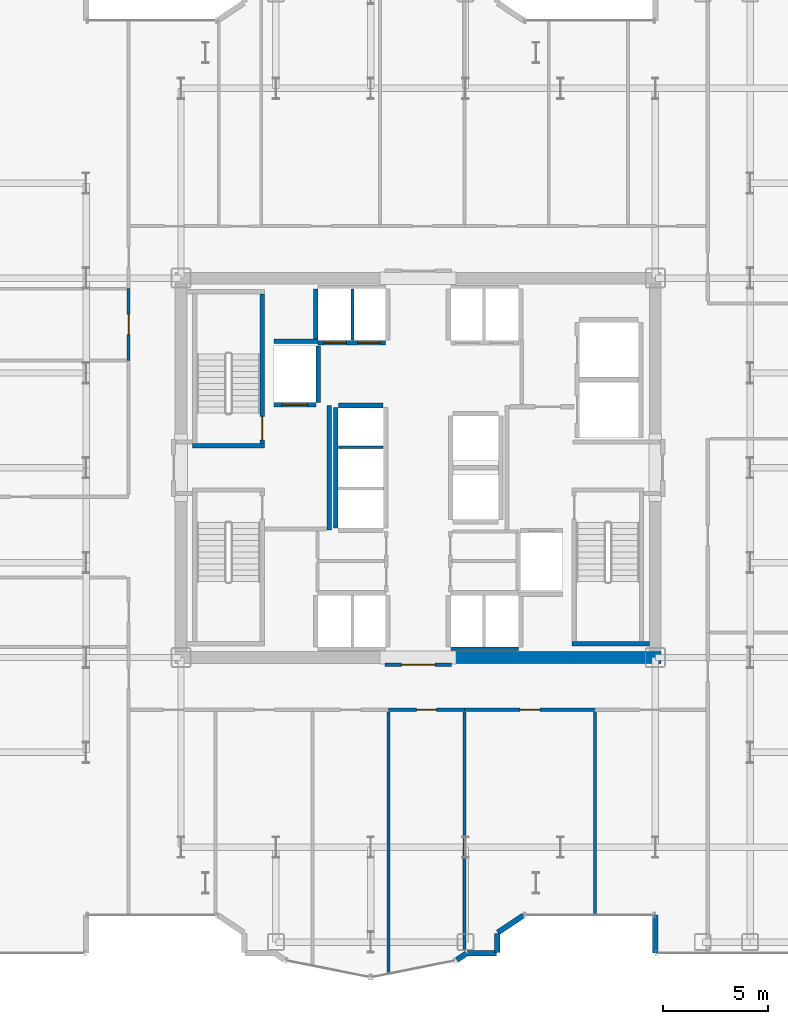
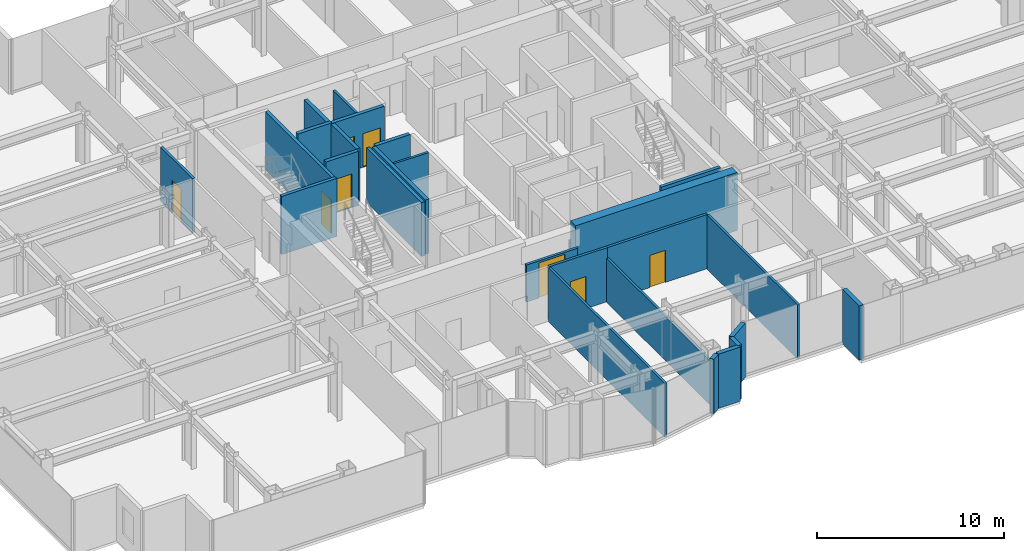
# One storey, part 21 of 26: 27 walls, 8 doors, 8 openings.
"""IFC4 building model written with IfcOpenShell, lengths in metres."""

import ifcopenshell
import ifcopenshell.guid

model = None  # the IFC model being written
_history = None  # IfcOwnerHistory: only IFC2X3 demands one
_inside = {}  # id of a spatial element -> (the spatial element, [elements in it])
_under = {}  # id of a project, library or spatial element -> (it, [spatial elements below it])
_declared = {}  # id of a project -> (the project, [libraries it declares])
_typed = {}  # id of a type object -> (the type object, [elements of that type])
_made_of = {}  # id of a material, layer set ... -> (it, [elements and type objects made of it])


def new_model(schema):
    """Start an empty IFC model of exactly this schema.

    Asked for "IFC4X3", IfcOpenShell would pick the latest addendum, in which some entities
    have other attributes; the version numbers below select the first issue.
    IFC2X3 requires an IfcOwnerHistory on every rooted entity: one is made here for all.
    """
    global model, _history
    if schema == "IFC4X3":
        model = ifcopenshell.file(schema_version=(4, 3, 0, 0))
    else:
        model = ifcopenshell.file(schema=schema)
    _inside.clear()
    _under.clear()
    _declared.clear()
    _typed.clear()
    _made_of.clear()
    _history = None
    if model.schema == "IFC2X3":
        org = make("IfcOrganization", Name="unknown")
        user = make(
            "IfcPersonAndOrganization",
            ThePerson=make("IfcPerson", FamilyName="unknown"),
            TheOrganization=org,
        )
        app = make(
            "IfcApplication",
            ApplicationDeveloper=org,
            Version="unknown",
            ApplicationFullName="unknown",
            ApplicationIdentifier="unknown",
        )
        _history = make(
            "IfcOwnerHistory",
            OwningUser=user,
            OwningApplication=app,
            ChangeAction="ADDED",
            CreationDate=0,
        )
    return model


def make(cls, **values):
    """One entity of the class cls with the attributes given. An attribute that is None is left unset."""
    return model.create_entity(
        cls, **{name: value for name, value in values.items() if value is not None}
    )


def rooted(cls, **values):
    """An entity with a GlobalId (a new one), such as an element, a storey or a relation."""
    return make(cls, GlobalId=ifcopenshell.guid.new(), OwnerHistory=_history, **values)


def si_unit(unit_type, name, prefix=None):
    """IfcSIUnit, for example si_unit("LENGTHUNIT", "METRE", prefix="MILLI")."""
    return make("IfcSIUnit", UnitType=unit_type, Prefix=prefix, Name=name)


def assignment(units):
    """IfcUnitAssignment: the units of a project."""
    return None if units is None else make("IfcUnitAssignment", Units=units)


def point(xyz):
    """IfcCartesianPoint."""
    return None if xyz is None else make("IfcCartesianPoint", Coordinates=xyz)


def direction(xyz):
    """IfcDirection."""
    return None if xyz is None else make("IfcDirection", DirectionRatios=xyz)


def frame(location, z_axis=None, x_axis=None):
    """IfcAxis2Placement3D, a coordinate frame: its origin and axes. An axis left out is left unset."""
    return make(
        "IfcAxis2Placement3D",
        Location=point(location),
        Axis=direction(z_axis),
        RefDirection=direction(x_axis),
    )


def frame_2d(location, x_axis=None):
    """IfcAxis2Placement2D, a coordinate frame in the plane: its origin and x axis."""
    return make(
        "IfcAxis2Placement2D", Location=point(location), RefDirection=direction(x_axis)
    )


def origin():
    """The frame at (0, 0, 0) with its axes left unset."""
    return frame((0.0, 0.0, 0.0))


def place(relative_to, where):
    """IfcLocalPlacement: puts the frame where relative to a parent placement (None: the world)."""
    return make(
        "IfcLocalPlacement", PlacementRelTo=relative_to, RelativePlacement=where
    )


def context(
    kind, dimensions, precision=None, world=None, true_north=None, identifier=None
):
    """IfcGeometricRepresentationContext, for example the 3D "Model" context."""
    return make(
        "IfcGeometricRepresentationContext",
        ContextIdentifier=identifier,
        ContextType=kind,
        CoordinateSpaceDimension=dimensions,
        Precision=precision,
        WorldCoordinateSystem=world,
        TrueNorth=true_north,
    )


def subcontext(parent, identifier, kind, view, scale=None):
    """IfcGeometricRepresentationSubContext, for example "Body" below "Model"."""
    return make(
        "IfcGeometricRepresentationSubContext",
        ContextIdentifier=identifier,
        ContextType=kind,
        ParentContext=parent,
        TargetScale=scale,
        TargetView=view,
    )


def project(units=None, contexts=None):
    """IfcProject with its units and contexts."""
    return rooted(
        "IfcProject",
        Name="project",
        RepresentationContexts=contexts,
        UnitsInContext=assignment(units),
    )


def spatial(cls, under=None, at=None, **own):
    """A site, building, storey or space (cls), placed at a placement, below another one or the project."""
    s = rooted(cls, ObjectPlacement=at, **own)
    if under is not None:
        _under.setdefault(under.id(), (under, []))[1].append(s)
    return s


def profile(cls, at=None, kind="AREA", **sizes):
    """A parametric profile (cls). Its sizes go by their IFC names, for example OverallWidth=200.0."""
    return make(cls, ProfileType=kind, Position=at, **sizes)


def rectangle(**sizes):
    """IfcRectangleProfileDef."""
    return profile("IfcRectangleProfileDef", **sizes)


def extrude(swept, where, along, depth):
    """IfcExtrudedAreaSolid: the profile swept, set in the frame where, extruded along a direction by depth."""
    return make(
        "IfcExtrudedAreaSolid",
        SweptArea=swept,
        Position=where,
        ExtrudedDirection=direction(along),
        Depth=depth,
    )


def shape(context_of_items, identifier, shape_type, items):
    """IfcShapeRepresentation: the items that make up one representation, for example the "Body"."""
    return make(
        "IfcShapeRepresentation",
        ContextOfItems=context_of_items,
        RepresentationIdentifier=identifier,
        RepresentationType=shape_type,
        Items=items,
    )


def source(mapping_origin, context_of_items, identifier, shape_type, items):
    """IfcRepresentationMap: a shape defined once, which mapped items show again and again."""
    return make(
        "IfcRepresentationMap",
        MappingOrigin=mapping_origin,
        MappedRepresentation=shape(context_of_items, identifier, shape_type, items),
    )


def transform(
    local_origin,
    x_axis=None,
    y_axis=None,
    z_axis=None,
    scale=None,
    scale2=None,
    scale3=None,
    uniform=True,
):
    """IfcCartesianTransformationOperator3D, or its non-uniform kind. x_axis, y_axis, z_axis: its Axis1, 2, 3."""
    if uniform:
        return make(
            "IfcCartesianTransformationOperator3D",
            Axis1=direction(x_axis),
            Axis2=direction(y_axis),
            LocalOrigin=point(local_origin),
            Scale=scale,
            Axis3=direction(z_axis),
        )
    return make(
        "IfcCartesianTransformationOperator3DnonUniform",
        Axis1=direction(x_axis),
        Axis2=direction(y_axis),
        LocalOrigin=point(local_origin),
        Scale=scale,
        Axis3=direction(z_axis),
        Scale2=scale2,
        Scale3=scale3,
    )


def mapped(mapping_source, mapping_target):
    """IfcMappedItem: shows the shape of a source again, moved by a transform."""
    return make(
        "IfcMappedItem", MappingSource=mapping_source, MappingTarget=mapping_target
    )


def material(Name=None, Category=None):
    """IfcMaterial."""
    return make("IfcMaterial", Name=Name, Category=Category)


def layer(
    of_material, thickness, ventilated=None, Name=None, Category=None, Priority=None
):
    """IfcMaterialLayer: one layer of a wall or slab, of a material (None: an air gap)."""
    return make(
        "IfcMaterialLayer",
        Material=of_material,
        LayerThickness=thickness,
        IsVentilated=ventilated,
        Name=Name,
        Category=Category,
        Priority=Priority,
    )


def layer_set(layers, Name=None):
    """IfcMaterialLayerSet."""
    return make("IfcMaterialLayerSet", MaterialLayers=layers, LayerSetName=Name)


def made_of(thing, what):
    """Note that an element or type object is made of a material, layer set ...; save() writes the relation."""
    if what is not None:
        _made_of.setdefault(what.id(), (what, []))[1].append(thing)
    return thing


def type_object(cls, material=None, **own):
    """A type object (cls), such as IfcWallType, which elements share."""
    return made_of(rooted(cls, **own), material)


def element(
    cls,
    number,
    at=None,
    inside=None,
    cuts=None,
    type_object=None,
    material=None,
    context=None,
    identifier="Body",
    shape_type=None,
    held_by="IfcProductDefinitionShape",
    body=None,
    shapes=None,
    **own,
):
    """One element of the class cls, such as IfcWall. Its Tag is "e" and its number.

    at: its placement. inside: the storey or other place that contains it. cuts: it is an
    opening in that element (IfcRelVoidsElement). A single representation is given by context,
    identifier, shape_type and body (its items); several are given by shapes. held_by: the class
    of the entity that holds the representations. save() writes the other relations.
    """
    e = rooted(cls, Tag="e%d" % number, ObjectPlacement=at, **own)
    if body is not None:
        shapes = [shape(context, identifier, shape_type, body)]
    if shapes is not None:
        e.Representation = make(held_by, Representations=shapes)
    if inside is not None:
        _inside.setdefault(inside.id(), (inside, []))[1].append(e)
    if cuts is not None:
        rooted(
            "IfcRelVoidsElement", RelatingBuildingElement=cuts, RelatedOpeningElement=e
        )
    if type_object is not None:
        _typed.setdefault(type_object.id(), (type_object, []))[1].append(e)
    return made_of(e, material)


def fill(opening, filler):
    """IfcRelFillsElement: the door or window that sits in an opening."""
    return rooted(
        "IfcRelFillsElement",
        RelatingOpeningElement=opening,
        RelatedBuildingElement=filler,
    )


def aggregate(whole, parts):
    """IfcRelAggregates: a whole, such as a stair, and the parts it consists of."""
    return rooted("IfcRelAggregates", RelatingObject=whole, RelatedObjects=parts)


def save(model, path):
    """Write the relations noted so far, then the file.

    IfcRelAggregates (storeys below a building ...), IfcRelContainedInSpatialStructure (elements
    in a storey), IfcRelDefinesByType, IfcRelAssociatesMaterial and IfcRelDeclares: one each for
    every whole, place, type object, material and project.
    """
    for whole, parts in _under.values():
        aggregate(whole, parts)
    for where, things in _inside.values():
        rooted(
            "IfcRelContainedInSpatialStructure",
            RelatedElements=things,
            RelatingStructure=where,
        )
    for kind, things in _typed.values():
        rooted("IfcRelDefinesByType", RelatedObjects=things, RelatingType=kind)
    for what, things in _made_of.values():
        rooted("IfcRelAssociatesMaterial", RelatedObjects=things, RelatingMaterial=what)
    for by, libraries in _declared.values():
        rooted("IfcRelDeclares", RelatingContext=by, RelatedDefinitions=libraries)
    model.write(path)


model = new_model("IFC4")

# Units and contexts
model_context = context("Model", 3, precision=1e-05, world=origin(), true_north=direction((0.0, 1.0)))
body_context = subcontext(model_context, "Body", "Model", "MODEL_VIEW")
ifc_project = project(units=[si_unit("LENGTHUNIT", "METRE"), si_unit("AREAUNIT", "SQUARE_METRE"), si_unit("VOLUMEUNIT", "CUBIC_METRE"), si_unit("PLANEANGLEUNIT", "RADIAN"), si_unit("MASSUNIT", "GRAM", prefix="KILO")], contexts=[model_context])

# Site, building, storey
site_placement = place(None, origin())
site = spatial("IfcSite", under=ifc_project, at=site_placement, CompositionType="ELEMENT")
building_placement = place(site_placement, origin())
building = spatial("IfcBuilding", under=site, at=building_placement, Name="Nefas-Gora Pilgrimage Tower", CompositionType="ELEMENT")
storey_placement = place(building_placement, frame((0.0, 0.0, 121.199951171875)))
storey = spatial("IfcBuildingStorey", under=building, at=storey_placement, Name="L29", CompositionType="ELEMENT", Elevation=121.199951171875)

# Walls
ifc_material_1 = material(Name="Concrete C60/75", Category="concrete")
ifc_layer_1 = layer(ifc_material_1, 0.550048828125)
ifc_layer_set_1 = layer_set([ifc_layer_1], Name="Concrete C60/75")
wall_type_1 = type_object("IfcWallType", Name="SW-CORE-550", PredefinedType="SHEAR", material=ifc_layer_set_1)
shared_shape_1 = source(origin(), body_context, "Body", "SweptSolid", [
    extrude(rectangle(XDim=9.974853515625, YDim=0.550048828125, at=frame_2d((4.9873046875, 0.0))), origin(), (0.0, 0.0, 1.0), 3.800048828125),
])
wall_1_placement = place(storey_placement, frame((1.550048828125, -9.0, 0.0), z_axis=(0.0, 0.0, 1.0), x_axis=(1.0, 0.0, 0.0)))
element("IfcWall", 1, at=wall_1_placement, inside=storey, type_object=wall_type_1, Name="L29 Core Shear Wall S-East", PredefinedType="SHEAR", context=body_context, shape_type="MappedRepresentation", body=[
    mapped(shared_shape_1, transform((0.0, 0.0, 0.0), x_axis=(1.0, 0.0, 0.0), y_axis=(0.0, 1.0, 0.0), z_axis=(0.0, 0.0, 1.0), scale=1.0)),
])
ifc_material_2 = material(Name="Precast concrete C40/50", Category="concrete")
ifc_layer_2 = layer(ifc_material_2, 0.260009765625)
ifc_layer_set_2 = layer_set([ifc_layer_2], Name="Precast concrete C40/50")
wall_type_2 = type_object("IfcWallType", Name="EW-PORTAL-260", PredefinedType="SOLIDWALL", material=ifc_layer_set_2)
shared_shape_2 = source(origin(), body_context, "Body", "SweptSolid", [
    extrude(rectangle(XDim=1.800048828125, YDim=0.260009765625, at=frame_2d((0.89990234375, 0.0))), origin(), (0.0, 0.0, 1.0), 3.550048828125),
])
wall_2_placement = place(storey_placement, frame((11.25, -21.219970703125, 0.0), z_axis=(0.0, 0.0, 1.0), x_axis=(0.0, -1.0, 0.0)))
element("IfcWall", 2, at=wall_2_placement, inside=storey, type_object=wall_type_2, Name="L29 Lobe Shoulder Precast Spandrel Pier 1", PredefinedType="SOLIDWALL", context=body_context, shape_type="MappedRepresentation", body=[
    mapped(shared_shape_2, transform((0.0, 0.0, 0.0), x_axis=(1.0, 0.0, 0.0), y_axis=(0.0, 1.0, 0.0), z_axis=(0.0, 0.0, 1.0), scale=1.0)),
])
shared_shape_3 = source(origin(), body_context, "Body", "SweptSolid", [
    extrude(rectangle(XDim=1.468994140625, YDim=0.260009765625, at=frame_2d((0.734375, 0.0))), origin(), (0.0, 0.0, 1.0), 3.550048828125),
])
wall_3_placement = place(storey_placement, frame((3.773193359375, -22.0517578125, 0.0), z_axis=(0.0, 0.0, 1.0), x_axis=(0.831461760506, 0.555581983884, 0.0)))
element("IfcWall", 3, at=wall_3_placement, inside=storey, type_object=wall_type_2, Name="L29 Lobe Shoulder Precast Spandrel Pier 36", PredefinedType="SOLIDWALL", context=body_context, shape_type="MappedRepresentation", body=[
    mapped(shared_shape_3, transform((0.0, 0.0, 0.0), x_axis=(1.0, 0.0, 0.0), y_axis=(0.0, 1.0, 0.0), z_axis=(0.0, 0.0, 1.0), scale=1.0)),
])
shared_shape_4 = source(origin(), body_context, "Body", "SweptSolid", [
    extrude(rectangle(XDim=0.896728515625, YDim=0.260009765625, at=frame_2d((0.4482421875, 0.0))), origin(), (0.0, 0.0, 1.0), 3.550048828125),
])
wall_4_placement = place(storey_placement, frame((3.75, -22.991943359375, 0.0), z_axis=(0.0, 0.0, 1.0), x_axis=(0.0, 1.0, 0.0)))
element("IfcWall", 4, at=wall_4_placement, inside=storey, type_object=wall_type_2, Name="L29 Lobe Shoulder Precast Spandrel Pier 35", PredefinedType="SOLIDWALL", context=body_context, shape_type="MappedRepresentation", body=[
    mapped(shared_shape_4, transform((0.0, 0.0, 0.0), x_axis=(1.0, 0.0, 0.0), y_axis=(0.0, 1.0, 0.0), z_axis=(0.0, 0.0, 1.0), scale=1.0)),
])
shared_shape_5 = source(origin(), body_context, "Body", "SweptSolid", [
    extrude(rectangle(XDim=1.369873046875, YDim=0.260009765625, at=frame_2d((0.68505859375, 0.0))), origin(), (0.0, 0.0, 1.0), 3.550048828125),
])
wall_5_placement = place(storey_placement, frame((2.35205078125, -23.02001953125, 0.0), z_axis=(0.0, 0.0, 1.0), x_axis=(1.0, 0.0, 0.0)))
element("IfcWall", 5, at=wall_5_placement, inside=storey, type_object=wall_type_2, Name="L29 Lobe Shoulder Precast Spandrel Pier 34", PredefinedType="SOLIDWALL", context=body_context, shape_type="MappedRepresentation", body=[
    mapped(shared_shape_5, transform((0.0, 0.0, 0.0), x_axis=(1.0, 0.0, 0.0), y_axis=(0.0, 1.0, 0.0), z_axis=(0.0, 0.0, 1.0), scale=1.0)),
])
shared_shape_6 = source(origin(), body_context, "Body", "SweptSolid", [
    extrude(rectangle(XDim=0.5654296875, YDim=0.260009765625, at=frame_2d((0.28271484375, 0.0))), origin(), (0.0, 0.0, 1.0), 3.550048828125),
])
wall_6_placement = place(storey_placement, frame((1.83056640625, -23.349609375, 0.0), z_axis=(0.0, 0.0, 1.0), x_axis=(0.831651492666, 0.555297933317, 0.0)))
element("IfcWall", 6, at=wall_6_placement, inside=storey, type_object=wall_type_2, Name="L29 Lobe Shoulder Precast Spandrel Pier 33", PredefinedType="SOLIDWALL", context=body_context, shape_type="MappedRepresentation", body=[
    mapped(shared_shape_6, transform((0.0, 0.0, 0.0), x_axis=(1.0, 0.0, 0.0), y_axis=(0.0, 1.0, 0.0), z_axis=(0.0, 0.0, 1.0), scale=1.0)),
])
ifc_material_3 = material(Name="Concrete C45/55", Category="concrete")
ifc_layer_3 = layer(ifc_material_3, 0.199951171875)
ifc_layer_set_3 = layer_set([ifc_layer_3], Name="Concrete C45/55")
wall_type_3 = type_object("IfcWallType", Name="IW-STAIR-200", PredefinedType="SOLIDWALL", material=ifc_layer_set_3)
shared_shape_7 = source(origin(), body_context, "Body", "SweptSolid", [
    extrude(rectangle(XDim=3.39990234375, YDim=0.199951171875, at=frame_2d((1.699951171875, 0.0))), origin(), (0.0, 0.0, 1.0), 3.800048828125),
])
wall_7_placement = place(storey_placement, frame((-7.300048828125, 1.050048828125, 0.0), z_axis=(0.0, 0.0, 1.0), x_axis=(-1.0, 0.0, 0.0)))
element("IfcWall", 7, at=wall_7_placement, inside=storey, type_object=wall_type_3, Name="L29 Stairwell Shear Wall ST-01-near", PredefinedType="SOLIDWALL", context=body_context, shape_type="MappedRepresentation", body=[
    mapped(shared_shape_7, transform((0.0, 0.0, 0.0), x_axis=(1.0, 0.0, 0.0), y_axis=(0.0, 1.0, 0.0), z_axis=(0.0, 0.0, 1.0), scale=1.0)),
])

# Wall, opening, door
shared_shape_8 = source(origin(), body_context, "Body", "SweptSolid", [
    extrude(rectangle(XDim=7.10009765625, YDim=0.199951171875, at=frame_2d((3.550048828125, 0.0))), origin(), (0.0, 0.0, 1.0), 3.800048828125),
])
wall_8_placement = place(storey_placement, frame((-7.39990234375, 1.14990234375, 0.0), z_axis=(0.0, 0.0, 1.0), x_axis=(0.0, 1.0, 0.0)))
wall_8 = element("IfcWall", 8, at=wall_8_placement, inside=storey, type_object=wall_type_3, Name="L29 Stairwell Shear Wall ST-01-left", PredefinedType="SOLIDWALL", context=body_context, shape_type="MappedRepresentation", body=[
    mapped(shared_shape_8, transform((0.0, 0.0, 0.0), x_axis=(1.0, 0.0, 0.0), y_axis=(0.0, 1.0, 0.0), z_axis=(0.0, 0.0, 1.0), scale=1.0)),
])
opening_1_placement = place(wall_8_placement, frame((0.179931640625, 0.0, 0.0)))
opening_1 = element("IfcOpeningElement", 9, at=opening_1_placement, cuts=wall_8, Name="Opening ID-ST1", PredefinedType="OPENING", context=body_context, shape_type="SweptSolid", body=[
    extrude(rectangle(XDim=1.10009765625, YDim=2.14990234375, at=frame_2d((0.550048828125, 1.074951171875))), frame((0.0, 0.10986328125, 0.0), z_axis=(0.0, -1.0, 0.0), x_axis=(1.0, 0.0, 0.0)), (0.0, 0.0, 1.0), 0.219970703125),
])
ifc_material_4 = material(Name="Painted galvanised steel fire stair door", Category="steel")
door_type_1 = type_object("IfcDoorType", Name="DR-INT-STAIR-1100", OperationType="NOTDEFINED", PredefinedType="DOOR", material=ifc_material_4)
shared_shape_9 = source(origin(), body_context, "Body", "SweptSolid", [
    extrude(rectangle(XDim=1.10009765625, YDim=2.14990234375, at=frame_2d((0.550048828125, 1.074951171875))), frame((0.0, 0.02490234375, 0.0), z_axis=(0.0, -1.0, 0.0), x_axis=(1.0, 0.0, 0.0)), (0.0, 0.0, 1.0), 0.050048828125),
])
door_1_placement = place(opening_1_placement, origin())
door_1 = element("IfcDoor", 10, at=door_1_placement, inside=storey, type_object=door_type_1, Name="L29 Protected Exit Stair Door ST-01", OperationType="SINGLE_SWING_LEFT", OverallHeight=2.14990234375, OverallWidth=1.10009765625, PredefinedType="DOOR", context=body_context, shape_type="MappedRepresentation", body=[
    mapped(shared_shape_9, transform((0.0, 0.0, 0.0), x_axis=(1.0, 0.0, 0.0), y_axis=(0.0, 1.0, 0.0), z_axis=(0.0, 0.0, 1.0), scale=1.0)),
])
fill(opening_1, door_1)

# Walls
shared_shape_10 = source(origin(), body_context, "Body", "SweptSolid", [
    extrude(rectangle(XDim=3.679931640625, YDim=0.199951171875, at=frame_2d((1.83984375, 0.0))), origin(), (0.0, 0.0, 1.0), 3.800048828125),
])
wall_9_placement = place(storey_placement, frame((7.300048828125, -8.35009765625, 0.0), z_axis=(0.0, 0.0, 1.0), x_axis=(1.0, 0.0, 0.0)))
element("IfcWall", 11, at=wall_9_placement, inside=storey, type_object=wall_type_3, Name="L29 Stairwell Shear Wall ST-02-far", PredefinedType="SOLIDWALL", context=body_context, shape_type="MappedRepresentation", body=[
    mapped(shared_shape_10, transform((0.0, 0.0, 0.0), x_axis=(1.0, 0.0, 0.0), y_axis=(0.0, 1.0, 0.0), z_axis=(0.0, 0.0, 1.0), scale=1.0)),
])
ifc_material_5 = material(Name="Gypsum acoustic stud partition")
ifc_layer_4 = layer(ifc_material_5, 0.159912109375)
ifc_layer_set_4 = layer_set([ifc_layer_4], Name="Gypsum acoustic stud partition")
wall_type_4 = type_object("IfcWallType", Name="IW-CORR-160", PredefinedType="PARTITIONING", material=ifc_layer_set_4)
shared_shape_11 = source(origin(), body_context, "Body", "SweptSolid", [
    extrude(rectangle(XDim=3.199951171875, YDim=0.159912109375, at=frame_2d((1.60009765625, 0.0))), origin(), (0.0, 0.0, 1.0), 2.425048828125),
])
wall_10_placement = place(storey_placement, frame((1.550048828125, -8.580078125, 0.0), z_axis=(0.0, 0.0, 1.0), x_axis=(1.0, 0.0, 0.0)))
element("IfcWall", 12, at=wall_10_placement, inside=storey, type_object=wall_type_4, Name="L29 Hoistway Wall PL2-E-S", PredefinedType="PARTITIONING", context=body_context, shape_type="MappedRepresentation", body=[
    mapped(shared_shape_11, transform((0.0, 0.0, 0.0), x_axis=(1.0, 0.0, 0.0), y_axis=(0.0, 1.0, 0.0), z_axis=(0.0, 0.0, 1.0), scale=1.0)),
])

# Wall, opening, door
ifc_material_6 = material(Name="Concrete C40/50", Category="concrete")
ifc_layer_5 = layer(ifc_material_6, 0.219970703125)
ifc_layer_set_5 = layer_set([ifc_layer_5], Name="Concrete C40/50")
wall_type_5 = type_object("IfcWallType", Name="IW-SHAFT-220", PredefinedType="SOLIDWALL", material=ifc_layer_set_5)
shared_shape_12 = source(origin(), body_context, "Body", "SweptSolid", [
    extrude(rectangle(XDim=2.0, YDim=0.219970703125, at=frame_2d((1.0, 0.0))), origin(), (0.0, 0.0, 1.0), 3.53515625),
])
wall_11_placement = place(storey_placement, frame((-6.85009765625, 2.989990234375, 0.0), z_axis=(0.0, 0.0, 1.0), x_axis=(1.0, 0.0, 0.0)))
wall_11 = element("IfcWall", 13, at=wall_11_placement, inside=storey, type_object=wall_type_5, Name="L29 Hoistway Wall FFL-01-S", PredefinedType="SOLIDWALL", context=body_context, shape_type="MappedRepresentation", body=[
    mapped(shared_shape_12, transform((0.0, 0.0, 0.0), x_axis=(1.0, 0.0, 0.0), y_axis=(0.0, 1.0, 0.0), z_axis=(0.0, 0.0, 1.0), scale=1.0)),
])
opening_2_placement = place(wall_11_placement, frame((0.39990234375, 0.0, 0.0)))
opening_2 = element("IfcOpeningElement", 14, at=opening_2_placement, cuts=wall_11, Name="Opening LD-FF", PredefinedType="OPENING", context=body_context, shape_type="SweptSolid", body=[
    extrude(rectangle(XDim=1.199951171875, YDim=2.199951171875, at=frame_2d((0.60009765625, 1.10009765625))), frame((0.0, 0.119873046875, 0.0), z_axis=(0.0, -1.0, 0.0), x_axis=(1.0, 0.0, 0.0)), (0.0, 0.0, 1.0), 0.239990234375),
])
ifc_material_7 = material(Name="Fire-service sliding lift landing door")
door_type_2 = type_object("IfcDoorType", Name="DR-LIFT-FSAE-1200", OperationType="SLIDING_TO_LEFT", PredefinedType="DOOR", material=ifc_material_7)
shared_shape_13 = source(origin(), body_context, "Body", "SweptSolid", [
    extrude(rectangle(XDim=1.199951171875, YDim=2.199951171875, at=frame_2d((0.60009765625, 1.10009765625))), frame((0.0, 0.02490234375, 0.0), z_axis=(0.0, -1.0, 0.0), x_axis=(1.0, 0.0, 0.0)), (0.0, 0.0, 1.0), 0.050048828125),
])
door_2_placement = place(opening_2_placement, origin())
door_2 = element("IfcDoor", 15, at=door_2_placement, inside=storey, type_object=door_type_2, Name="L29 Sliding Lift Landing Door FFL-01", OperationType="SLIDING_TO_LEFT", OverallHeight=2.199951171875, OverallWidth=1.199951171875, PredefinedType="DOOR", context=body_context, shape_type="MappedRepresentation", body=[
    mapped(shared_shape_13, transform((0.0, 0.0, 0.0), x_axis=(1.0, 0.0, 0.0), y_axis=(0.0, 1.0, 0.0), z_axis=(0.0, 0.0, 1.0), scale=1.0)),
])
fill(opening_2, door_2)

# Wall
shared_shape_14 = source(origin(), body_context, "Body", "SweptSolid", [
    extrude(rectangle(XDim=2.679931640625, YDim=0.219970703125, at=frame_2d((1.33984375, 0.0))), origin(), (0.0, 0.0, 1.0), 3.53515625),
])
wall_12_placement = place(storey_placement, frame((-4.739990234375, 3.110107421875, 0.0), z_axis=(0.0, 0.0, 1.0), x_axis=(0.0, 1.0, 0.0)))
element("IfcWall", 16, at=wall_12_placement, inside=storey, type_object=wall_type_5, Name="L29 Hoistway Wall FFL-01-E", PredefinedType="SOLIDWALL", context=body_context, shape_type="MappedRepresentation", body=[
    mapped(shared_shape_14, transform((0.0, 0.0, 0.0), x_axis=(1.0, 0.0, 0.0), y_axis=(0.0, 1.0, 0.0), z_axis=(0.0, 0.0, 1.0), scale=1.0)),
])

# Wall, openings, doors
shared_shape_15 = source(origin(), body_context, "Body", "SweptSolid", [
    extrude(rectangle(XDim=3.199951171875, YDim=0.219970703125, at=frame_2d((1.60009765625, 0.0))), origin(), (0.0, 0.0, 1.0), 3.53515625),
])
wall_13_placement = place(storey_placement, frame((-4.75, 5.93994140625, 0.0), z_axis=(0.0, 0.0, 1.0), x_axis=(1.0, 0.0, 0.0)))
wall_13 = element("IfcWall", 17, at=wall_13_placement, inside=storey, type_object=wall_type_5, Name="L29 Hoistway Wall PL1-W-S", PredefinedType="SOLIDWALL", context=body_context, shape_type="MappedRepresentation", body=[
    mapped(shared_shape_15, transform((0.0, 0.0, 0.0), x_axis=(1.0, 0.0, 0.0), y_axis=(0.0, 1.0, 0.0), z_axis=(0.0, 0.0, 1.0), scale=1.0)),
])
opening_3_placement = place(wall_13_placement, frame((0.25, 0.0, 0.0)))
opening_3 = element("IfcOpeningElement", 18, at=opening_3_placement, cuts=wall_13, Name="Opening LD-01", PredefinedType="OPENING", context=body_context, shape_type="SweptSolid", body=[
    extrude(rectangle(XDim=1.10009765625, YDim=2.199951171875, at=frame_2d((0.550048828125, 1.10009765625))), frame((0.0, 0.119873046875, 0.0), z_axis=(0.0, -1.0, 0.0), x_axis=(1.0, 0.0, 0.0)), (0.0, 0.0, 1.0), 0.239990234375),
])
opening_4_placement = place(wall_13_placement, frame((1.875, 0.0, 0.0)))
opening_4 = element("IfcOpeningElement", 19, at=opening_4_placement, cuts=wall_13, Name="Opening LD-01", PredefinedType="OPENING", context=body_context, shape_type="SweptSolid", body=[
    extrude(rectangle(XDim=1.10009765625, YDim=2.199951171875, at=frame_2d((0.550048828125, 1.10009765625))), frame((0.0, 0.119873046875, 0.0), z_axis=(0.0, -1.0, 0.0), x_axis=(1.0, 0.0, 0.0)), (0.0, 0.0, 1.0), 0.239990234375),
])
ifc_material_8 = material(Name="Brushed stainless sliding lift landing door")
door_type_3 = type_object("IfcDoorType", Name="DR-LIFT-PASS-1100", OperationType="DOUBLE_DOOR_SLIDING", PredefinedType="DOOR", material=ifc_material_8)
shared_shape_16 = source(origin(), body_context, "Body", "SweptSolid", [
    extrude(rectangle(XDim=1.10009765625, YDim=2.199951171875, at=frame_2d((0.550048828125, 1.10009765625))), frame((0.0, 0.02490234375, 0.0), z_axis=(0.0, -1.0, 0.0), x_axis=(1.0, 0.0, 0.0)), (0.0, 0.0, 1.0), 0.050048828125),
])
door_3_placement = place(opening_3_placement, origin())
door_3 = element("IfcDoor", 20, at=door_3_placement, inside=storey, type_object=door_type_3, Name="L29 Sliding Lift Landing Door PL1-01", OperationType="DOUBLE_DOOR_SLIDING", OverallHeight=2.199951171875, OverallWidth=1.10009765625, PredefinedType="DOOR", context=body_context, shape_type="MappedRepresentation", body=[
    mapped(shared_shape_16, transform((0.0, 0.0, 0.0), x_axis=(1.0, 0.0, 0.0), y_axis=(0.0, 1.0, 0.0), z_axis=(0.0, 0.0, 1.0), scale=1.0)),
])
fill(opening_3, door_3)
door_4_placement = place(opening_4_placement, origin())
door_4 = element("IfcDoor", 21, at=door_4_placement, inside=storey, type_object=door_type_3, Name="L29 Sliding Lift Landing Door PL1-02", OperationType="DOUBLE_DOOR_SLIDING", OverallHeight=2.199951171875, OverallWidth=1.10009765625, PredefinedType="DOOR", context=body_context, shape_type="MappedRepresentation", body=[
    mapped(shared_shape_16, transform((0.0, 0.0, 0.0), x_axis=(1.0, 0.0, 0.0), y_axis=(0.0, 1.0, 0.0), z_axis=(0.0, 0.0, 1.0), scale=1.0)),
])
fill(opening_4, door_4)

# Walls
shared_shape_17 = source(origin(), body_context, "Body", "SweptSolid", [
    extrude(rectangle(XDim=2.429931640625, YDim=0.219970703125, at=frame_2d((1.21484375, 0.0))), origin(), (0.0, 0.0, 1.0), 3.53515625),
])
wall_14_placement = place(storey_placement, frame((-4.860107421875, 8.489990234375, 0.0), z_axis=(0.0, 0.0, 1.0), x_axis=(0.0, -1.0, 0.0)))
element("IfcWall", 22, at=wall_14_placement, inside=storey, type_object=wall_type_5, Name="L29 Hoistway Wall PL1-W-W", PredefinedType="SOLIDWALL", context=body_context, shape_type="MappedRepresentation", body=[
    mapped(shared_shape_17, transform((0.0, 0.0, 0.0), x_axis=(1.0, 0.0, 0.0), y_axis=(0.0, 1.0, 0.0), z_axis=(0.0, 0.0, 1.0), scale=1.0)),
])
ifc_material_9 = material(Name="Gypsum twin-stud partition")
ifc_layer_6 = layer(ifc_material_9, 0.139892578125)
ifc_layer_set_6 = layer_set([ifc_layer_6], Name="Gypsum twin-stud partition")
wall_type_6 = type_object("IfcWallType", Name="IW-UNIT-140", PredefinedType="PARTITIONING", material=ifc_layer_set_6)
shared_shape_18 = source(origin(), body_context, "Body", "SweptSolid", [
    extrude(rectangle(XDim=2.429931640625, YDim=0.139892578125, at=frame_2d((1.21484375, 0.0))), origin(), (0.0, 0.0, 1.0), 3.53515625),
])
wall_15_placement = place(storey_placement, frame((-3.125, 6.06005859375, 0.0), z_axis=(0.0, 0.0, 1.0), x_axis=(0.0, 1.0, 0.0)))
element("IfcWall", 23, at=wall_15_placement, inside=storey, type_object=wall_type_6, Name="L29 Hoistway Wall PL1-W-DIV", PredefinedType="PARTITIONING", context=body_context, shape_type="MappedRepresentation", body=[
    mapped(shared_shape_18, transform((0.0, 0.0, 0.0), x_axis=(1.0, 0.0, 0.0), y_axis=(0.0, 1.0, 0.0), z_axis=(0.0, 0.0, 1.0), scale=1.0)),
])
shared_shape_19 = source(origin(), body_context, "Body", "SweptSolid", [
    extrude(rectangle(XDim=5.7001953125, YDim=0.219970703125, at=frame_2d((2.85009765625, 0.0))), origin(), (0.0, 0.0, 1.0), 3.53515625),
])
wall_16_placement = place(storey_placement, frame((-3.909912109375, 2.85009765625, 0.0), z_axis=(0.0, 0.0, 1.0), x_axis=(0.0, -1.0, 0.0)))
element("IfcWall", 24, at=wall_16_placement, inside=storey, type_object=wall_type_5, Name="L29 Hoistway Wall PL3-01-03-W", PredefinedType="SOLIDWALL", context=body_context, shape_type="MappedRepresentation", body=[
    mapped(shared_shape_19, transform((0.0, 0.0, 0.0), x_axis=(1.0, 0.0, 0.0), y_axis=(0.0, 1.0, 0.0), z_axis=(0.0, 0.0, 1.0), scale=1.0)),
])
shared_shape_20 = source(origin(), body_context, "Body", "SweptSolid", [
    extrude(rectangle(XDim=2.130126953125, YDim=0.219970703125, at=frame_2d((1.06494140625, 0.0))), origin(), (0.0, 0.0, 1.0), 3.53515625),
])
wall_17_placement = place(storey_placement, frame((-1.659912109375, 2.9599609375, 0.0), z_axis=(0.0, 0.0, 1.0), x_axis=(-1.0, 0.0, 0.0)))
element("IfcWall", 25, at=wall_17_placement, inside=storey, type_object=wall_type_5, Name="L29 Hoistway Wall PL3-03-N", PredefinedType="SOLIDWALL", context=body_context, shape_type="MappedRepresentation", body=[
    mapped(shared_shape_20, transform((0.0, 0.0, 0.0), x_axis=(1.0, 0.0, 0.0), y_axis=(0.0, 1.0, 0.0), z_axis=(0.0, 0.0, 1.0), scale=1.0)),
])
shared_shape_21 = source(origin(), body_context, "Body", "SweptSolid", [
    extrude(rectangle(XDim=2.130126953125, YDim=0.139892578125, at=frame_2d((1.06494140625, 0.0))), origin(), (0.0, 0.0, 1.0), 3.53515625),
])
wall_18_placement = place(storey_placement, frame((-3.7900390625, 0.97509765625, 0.0), z_axis=(0.0, 0.0, 1.0), x_axis=(1.0, 0.0, 0.0)))
element("IfcWall", 26, at=wall_18_placement, inside=storey, type_object=wall_type_6, Name="L29 Hoistway Wall PL3-02-03-DIV", PredefinedType="PARTITIONING", context=body_context, shape_type="MappedRepresentation", body=[
    mapped(shared_shape_21, transform((0.0, 0.0, 0.0), x_axis=(1.0, 0.0, 0.0), y_axis=(0.0, 1.0, 0.0), z_axis=(0.0, 0.0, 1.0), scale=1.0)),
])
shared_shape_22 = source(origin(), body_context, "Body", "SweptSolid", [
    extrude(rectangle(XDim=2.09521484375, YDim=0.219970703125, at=frame_2d((1.047607421875, 0.0))), origin(), (0.0, 0.0, 1.0), 3.53515625),
])
wall_19_placement = place(storey_placement, frame((-6.85009765625, 6.0, 0.0), z_axis=(0.0, 0.0, 1.0), x_axis=(1.0, 0.0, 0.0)))
element("IfcWall", 27, at=wall_19_placement, inside=storey, type_object=wall_type_5, Name="L29 Riser Shaft Wall 1", PredefinedType="SOLIDWALL", context=body_context, shape_type="MappedRepresentation", body=[
    mapped(shared_shape_22, transform((0.0, 0.0, 0.0), x_axis=(1.0, 0.0, 0.0), y_axis=(0.0, 1.0, 0.0), z_axis=(0.0, 0.0, 1.0), scale=1.0)),
])
ifc_material_10 = material(Name="Gypsum fire-rated shaftwall")
ifc_layer_7 = layer(ifc_material_10, 0.199951171875)
ifc_layer_set_7 = layer_set([ifc_layer_7], Name="Gypsum fire-rated shaftwall")
wall_type_7 = type_object("IfcWallType", Name="IW-FFLOB-200", PredefinedType="PARTITIONING", material=ifc_layer_set_7)
shared_shape_23 = source(origin(), body_context, "Body", "SweptSolid", [
    extrude(rectangle(XDim=5.89990234375, YDim=0.199951171875, at=frame_2d((2.949951171875, 0.0))), origin(), (0.0, 0.0, 1.0), 3.53515625),
])
wall_20_placement = place(storey_placement, frame((-4.219970703125, -2.949951171875, 0.0), z_axis=(0.0, 0.0, 1.0), x_axis=(0.0, 1.0, 0.0)))
element("IfcWall", 28, at=wall_20_placement, inside=storey, type_object=wall_type_7, Name="L29 FF Lobby West Inner Wall Wall 4", PredefinedType="PARTITIONING", context=body_context, shape_type="MappedRepresentation", body=[
    mapped(shared_shape_23, transform((0.0, 0.0, 0.0), x_axis=(1.0, 0.0, 0.0), y_axis=(0.0, 1.0, 0.0), z_axis=(0.0, 0.0, 1.0), scale=1.0)),
])

# Wall, opening, door
shared_shape_24 = source(origin(), body_context, "Body", "SweptSolid", [
    extrude(rectangle(XDim=3.409912109375, YDim=0.159912109375, at=frame_2d((1.705078125, 0.0))), origin(), (0.0, 0.0, 1.0), 3.53515625),
])
wall_21_placement = place(storey_placement, frame((-13.739990234375, 5.094970703125, 0.0), z_axis=(0.0, 0.0, 1.0), x_axis=(0.0, 1.0, 0.0)))
wall_21 = element("IfcWall", 29, at=wall_21_placement, inside=storey, type_object=wall_type_4, Name="L29 Pilgrim Fellowship Seminar Room Partition Wall 36", PredefinedType="PARTITIONING", context=body_context, shape_type="MappedRepresentation", body=[
    mapped(shared_shape_24, transform((0.0, 0.0, 0.0), x_axis=(1.0, 0.0, 0.0), y_axis=(0.0, 1.0, 0.0), z_axis=(0.0, 0.0, 1.0), scale=1.0)),
])
opening_5_placement = place(wall_21_placement, frame((1.22998046875, 0.0, 0.0)))
opening_5 = element("IfcOpeningElement", 30, at=opening_5_placement, cuts=wall_21, Name="Opening ID-GR1", PredefinedType="OPENING", context=body_context, shape_type="SweptSolid", body=[
    extrude(rectangle(XDim=0.949951171875, YDim=2.10009765625, at=frame_2d((0.47509765625, 1.050048828125))), frame((0.0, 0.08984375, 0.0), z_axis=(0.0, -1.0, 0.0), x_axis=(1.0, 0.0, 0.0)), (0.0, 0.0, 1.0), 0.179931640625),
])
ifc_material_11 = material(Name="Solid core oak fire-rated guest entrance door")
door_type_4 = type_object("IfcDoorType", Name="DR-INT-GUEST-950", OperationType="NOTDEFINED", PredefinedType="DOOR", material=ifc_material_11)
shared_shape_25 = source(origin(), body_context, "Body", "SweptSolid", [
    extrude(rectangle(XDim=0.949951171875, YDim=2.10009765625, at=frame_2d((0.47509765625, 1.050048828125))), frame((0.0, 0.02490234375, 0.0), z_axis=(0.0, -1.0, 0.0), x_axis=(1.0, 0.0, 0.0)), (0.0, 0.0, 1.0), 0.050048828125),
])
door_5_placement = place(opening_5_placement, origin())
door_5 = element("IfcDoor", 31, at=door_5_placement, inside=storey, type_object=door_type_4, Name="L29 Pilgrim Fellowship Seminar Room Door 15", OperationType="SINGLE_SWING_LEFT", OverallHeight=2.10009765625, OverallWidth=0.949951171875, PredefinedType="DOOR", context=body_context, shape_type="MappedRepresentation", body=[
    mapped(shared_shape_25, transform((0.0, 0.0, 0.0), x_axis=(1.0, 0.0, 0.0), y_axis=(0.0, 1.0, 0.0), z_axis=(0.0, 0.0, 1.0), scale=1.0)),
])
fill(opening_5, door_5)

# Wall
shared_shape_26 = source(origin(), body_context, "Body", "SweptSolid", [
    extrude(rectangle(XDim=9.64990234375, YDim=0.139892578125, at=frame_2d((4.824951171875, 0.0))), origin(), (0.0, 0.0, 1.0), 3.53515625),
])
wall_22_placement = place(storey_placement, frame((8.39501953125, -21.239990234375, 0.0), z_axis=(0.0, 0.0, 1.0), x_axis=(0.0, 1.0, 0.0)))
element("IfcWall", 32, at=wall_22_placement, inside=storey, type_object=wall_type_6, Name="L29 Pilgrim Contemplative Lounge Partition Wall 68", PredefinedType="PARTITIONING", context=body_context, shape_type="MappedRepresentation", body=[
    mapped(shared_shape_26, transform((0.0, 0.0, 0.0), x_axis=(1.0, 0.0, 0.0), y_axis=(0.0, 1.0, 0.0), z_axis=(0.0, 0.0, 1.0), scale=1.0)),
])

# Wall, opening, door
shared_shape_27 = source(origin(), body_context, "Body", "SweptSolid", [
    extrude(rectangle(XDim=3.16015625, YDim=0.159912109375, at=frame_2d((1.580078125, 0.0))), origin(), (0.0, 0.0, 1.0), 2.425048828125),
])
wall_23_placement = place(storey_placement, frame((-1.580078125, -9.35009765625, 0.0), z_axis=(0.0, 0.0, 1.0), x_axis=(1.0, 0.0, 0.0)))
wall_23 = element("IfcWall", 33, at=wall_23_placement, inside=storey, type_object=wall_type_4, Name="L29 Central Lift Lobby South Portal Wall 14", PredefinedType="PARTITIONING", context=body_context, shape_type="MappedRepresentation", body=[
    mapped(shared_shape_27, transform((0.0, 0.0, 0.0), x_axis=(1.0, 0.0, 0.0), y_axis=(0.0, 1.0, 0.0), z_axis=(0.0, 0.0, 1.0), scale=1.0)),
])
opening_6_placement = place(wall_23_placement, frame((0.780029296875, 0.0, 0.0)))
opening_6 = element("IfcOpeningElement", 34, at=opening_6_placement, cuts=wall_23, Name="Opening ID-HL1", PredefinedType="OPENING", context=body_context, shape_type="SweptSolid", body=[
    extrude(rectangle(XDim=1.60009765625, YDim=2.300048828125, at=frame_2d((0.800048828125, 1.14990234375))), frame((0.0, 0.08984375, 0.0), z_axis=(0.0, -1.0, 0.0), x_axis=(1.0, 0.0, 0.0)), (0.0, 0.0, 1.0), 0.179931640625),
])
ifc_material_12 = material(Name="Double acoustic timber assembly hall door", Category="wood")
door_type_5 = type_object("IfcDoorType", Name="DR-INT-HALL-1600", OperationType="DOUBLE_DOOR_SINGLE_SWING", PredefinedType="DOOR", material=ifc_material_12)
shared_shape_28 = source(origin(), body_context, "Body", "SweptSolid", [
    extrude(rectangle(XDim=1.60009765625, YDim=2.300048828125, at=frame_2d((0.800048828125, 1.14990234375))), frame((0.0, 0.02490234375, 0.0), z_axis=(0.0, -1.0, 0.0), x_axis=(1.0, 0.0, 0.0)), (0.0, 0.0, 1.0), 0.050048828125),
])
door_6_placement = place(opening_6_placement, origin())
door_6 = element("IfcDoor", 35, at=door_6_placement, inside=storey, type_object=door_type_5, Name="L29 Central Lift Lobby South Portal Door 5", OperationType="DOUBLE_DOOR_SINGLE_SWING", OverallHeight=2.300048828125, OverallWidth=1.60009765625, PredefinedType="DOOR", context=body_context, shape_type="MappedRepresentation", body=[
    mapped(shared_shape_28, transform((0.0, 0.0, 0.0), x_axis=(1.0, 0.0, 0.0), y_axis=(0.0, 1.0, 0.0), z_axis=(0.0, 0.0, 1.0), scale=1.0)),
])
fill(opening_6, door_6)

# Wall
shared_shape_29 = source(origin(), body_context, "Body", "SweptSolid", [
    extrude(rectangle(XDim=11.314208984375, YDim=0.139892578125, at=frame_2d((5.6572265625, 0.0))), origin(), (0.0, 0.0, 1.0), 2.875),
])
wall_24_placement = place(storey_placement, frame((2.195068359375, -22.904296875, 0.0), z_axis=(0.0, 0.0, 1.0), x_axis=(0.0, 1.0, 0.0)))
element("IfcWall", 36, at=wall_24_placement, inside=storey, type_object=wall_type_6, Name="L29 Pilgrim Contemplative Lounge Partition Wall 66", PredefinedType="PARTITIONING", context=body_context, shape_type="MappedRepresentation", body=[
    mapped(shared_shape_29, transform((0.0, 0.0, 0.0), x_axis=(1.0, 0.0, 0.0), y_axis=(0.0, 1.0, 0.0), z_axis=(0.0, 0.0, 1.0), scale=1.0)),
])

# Wall, opening, door
shared_shape_30 = source(origin(), body_context, "Body", "SweptSolid", [
    extrude(rectangle(XDim=3.60498046875, YDim=0.159912109375, at=frame_2d((1.802490234375, 0.0))), origin(), (0.0, 0.0, 1.0), 3.53515625),
])
wall_25_placement = place(storey_placement, frame((-1.39990234375, -11.469970703125, 0.0), z_axis=(0.0, 0.0, 1.0), x_axis=(1.0, 0.0, 0.0)))
wall_25 = element("IfcWall", 37, at=wall_25_placement, inside=storey, type_object=wall_type_4, Name="L29 Pilgrim Contemplative Lounge Partition Wall 65", PredefinedType="PARTITIONING", context=body_context, shape_type="MappedRepresentation", body=[
    mapped(shared_shape_30, transform((0.0, 0.0, 0.0), x_axis=(1.0, 0.0, 0.0), y_axis=(0.0, 1.0, 0.0), z_axis=(0.0, 0.0, 1.0), scale=1.0)),
])
opening_7_placement = place(wall_25_placement, frame((1.327392578125, 0.0, 0.0)))
opening_7 = element("IfcOpeningElement", 38, at=opening_7_placement, cuts=wall_25, Name="Opening ID-GR1", PredefinedType="OPENING", context=body_context, shape_type="SweptSolid", body=[
    extrude(rectangle(XDim=0.949951171875, YDim=2.10009765625, at=frame_2d((0.47509765625, 1.050048828125))), frame((0.0, 0.08984375, 0.0), z_axis=(0.0, -1.0, 0.0), x_axis=(1.0, 0.0, 0.0)), (0.0, 0.0, 1.0), 0.179931640625),
])
door_7_placement = place(opening_7_placement, origin())
door_7 = element("IfcDoor", 39, at=door_7_placement, inside=storey, type_object=door_type_4, Name="L29 Pilgrim Contemplative Lounge Door 31", OperationType="SINGLE_SWING_LEFT", OverallHeight=2.10009765625, OverallWidth=0.949951171875, PredefinedType="DOOR", context=body_context, shape_type="MappedRepresentation", body=[
    mapped(shared_shape_25, transform((0.0, 0.0, 0.0), x_axis=(1.0, 0.0, 0.0), y_axis=(0.0, 1.0, 0.0), z_axis=(0.0, 0.0, 1.0), scale=1.0)),
])
fill(opening_7, door_7)

# Wall
shared_shape_31 = source(origin(), body_context, "Body", "SweptSolid", [
    extrude(rectangle(XDim=12.435546875, YDim=0.139892578125, at=frame_2d((6.2177734375, 0.0))), origin(), (0.0, 0.0, 1.0), 3.53515625),
])
wall_26_placement = place(storey_placement, frame((-1.409912109375, -24.025634765625, 0.0), z_axis=(0.0, 0.0, 1.0), x_axis=(0.0, 1.0, 0.0)))
element("IfcWall", 40, at=wall_26_placement, inside=storey, type_object=wall_type_6, Name="L29 Pilgrim Contemplative Lounge Partition Wall 64", PredefinedType="PARTITIONING", context=body_context, shape_type="MappedRepresentation", body=[
    mapped(shared_shape_31, transform((0.0, 0.0, 0.0), x_axis=(1.0, 0.0, 0.0), y_axis=(0.0, 1.0, 0.0), z_axis=(0.0, 0.0, 1.0), scale=1.0)),
])

# Wall, opening, door
shared_shape_32 = source(origin(), body_context, "Body", "SweptSolid", [
    extrude(rectangle(XDim=6.2099609375, YDim=0.159912109375, at=frame_2d((3.10498046875, 0.0))), origin(), (0.0, 0.0, 1.0), 3.53515625),
])
wall_27_placement = place(storey_placement, frame((2.195068359375, -11.469970703125, 0.0), z_axis=(0.0, 0.0, 1.0), x_axis=(1.0, 0.0, 0.0)))
wall_27 = element("IfcWall", 41, at=wall_27_placement, inside=storey, type_object=wall_type_4, Name="L29 Pilgrim Contemplative Lounge Partition Wall 67", PredefinedType="PARTITIONING", context=body_context, shape_type="MappedRepresentation", body=[
    mapped(shared_shape_32, transform((0.0, 0.0, 0.0), x_axis=(1.0, 0.0, 0.0), y_axis=(0.0, 1.0, 0.0), z_axis=(0.0, 0.0, 1.0), scale=1.0)),
])
opening_8_placement = place(wall_27_placement, frame((2.6298828125, 0.0, 0.0)))
opening_8 = element("IfcOpeningElement", 42, at=opening_8_placement, cuts=wall_27, Name="Opening ID-GR1", PredefinedType="OPENING", context=body_context, shape_type="SweptSolid", body=[
    extrude(rectangle(XDim=0.949951171875, YDim=2.10009765625, at=frame_2d((0.47509765625, 1.050048828125))), frame((0.0, 0.08984375, 0.0), z_axis=(0.0, -1.0, 0.0), x_axis=(1.0, 0.0, 0.0)), (0.0, 0.0, 1.0), 0.179931640625),
])
door_8_placement = place(opening_8_placement, origin())
door_8 = element("IfcDoor", 43, at=door_8_placement, inside=storey, type_object=door_type_4, Name="L29 Pilgrim Contemplative Lounge Door 32", OperationType="SINGLE_SWING_RIGHT", OverallHeight=2.10009765625, OverallWidth=0.949951171875, PredefinedType="DOOR", context=body_context, shape_type="MappedRepresentation", body=[
    mapped(shared_shape_25, transform((0.0, 0.0, 0.0), x_axis=(1.0, 0.0, 0.0), y_axis=(0.0, 1.0, 0.0), z_axis=(0.0, 0.0, 1.0), scale=1.0)),
])
fill(opening_8, door_8)

save(model, "model.ifc")
